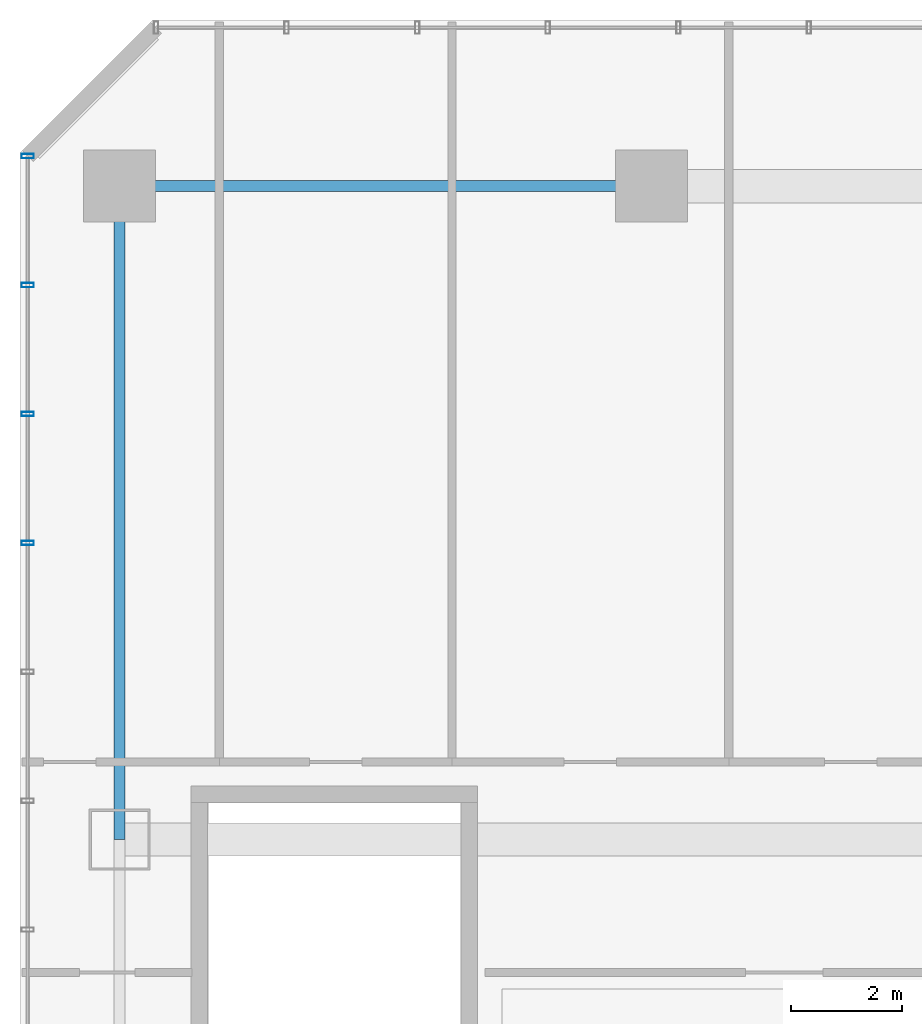
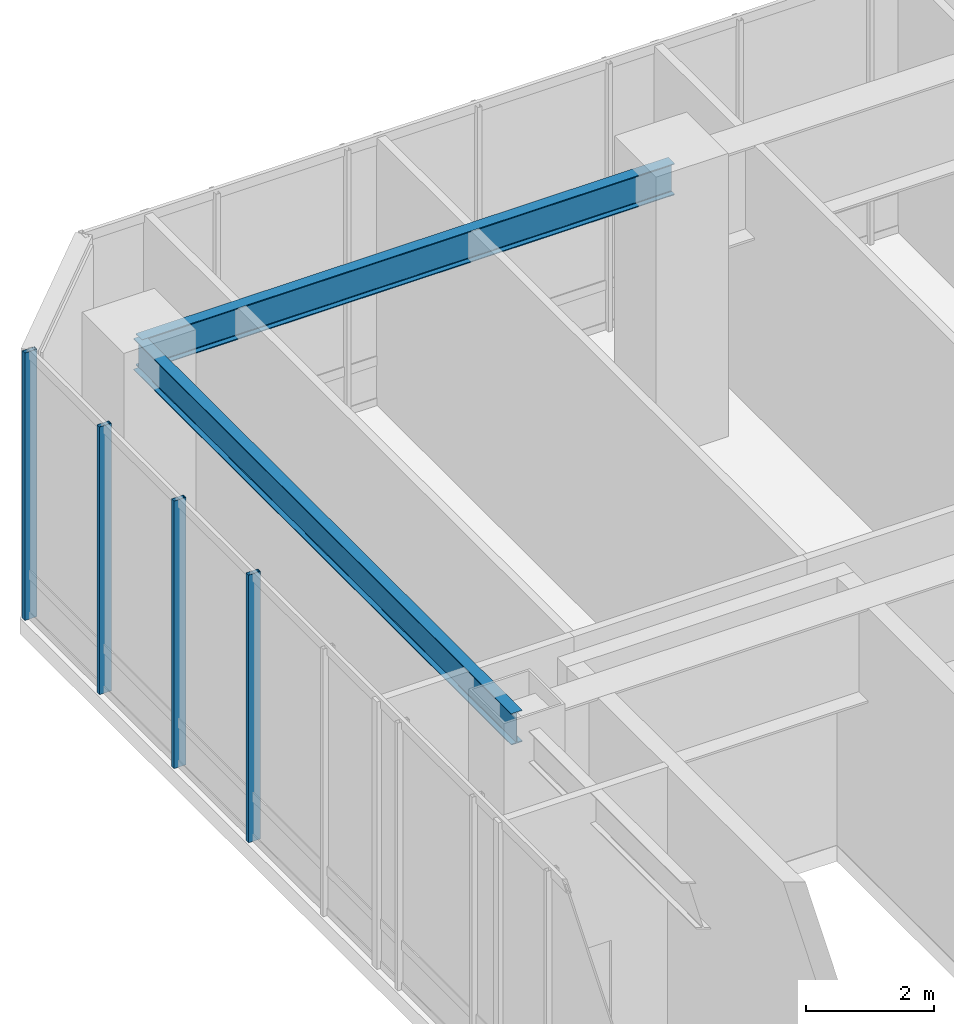
# One storey, part 20 of 38: 4 members, 2 beams, 1 element without a shape of its own.
"""IFC4 building model written with IfcOpenShell, lengths in metres."""

import ifcopenshell
import ifcopenshell.guid

model = None  # the IFC model being written
_history = None  # IfcOwnerHistory: only IFC2X3 demands one
_inside = {}  # id of a spatial element -> (the spatial element, [elements in it])
_under = {}  # id of a project, library or spatial element -> (it, [spatial elements below it])
_declared = {}  # id of a project -> (the project, [libraries it declares])
_typed = {}  # id of a type object -> (the type object, [elements of that type])
_made_of = {}  # id of a material, layer set ... -> (it, [elements and type objects made of it])


def new_model(schema):
    """Start an empty IFC model of exactly this schema.

    Asked for "IFC4X3", IfcOpenShell would pick the latest addendum, in which some entities
    have other attributes; the version numbers below select the first issue.
    IFC2X3 requires an IfcOwnerHistory on every rooted entity: one is made here for all.
    """
    global model, _history
    if schema == "IFC4X3":
        model = ifcopenshell.file(schema_version=(4, 3, 0, 0))
    else:
        model = ifcopenshell.file(schema=schema)
    _inside.clear()
    _under.clear()
    _declared.clear()
    _typed.clear()
    _made_of.clear()
    _history = None
    if model.schema == "IFC2X3":
        org = make("IfcOrganization", Name="unknown")
        user = make(
            "IfcPersonAndOrganization",
            ThePerson=make("IfcPerson", FamilyName="unknown"),
            TheOrganization=org,
        )
        app = make(
            "IfcApplication",
            ApplicationDeveloper=org,
            Version="unknown",
            ApplicationFullName="unknown",
            ApplicationIdentifier="unknown",
        )
        _history = make(
            "IfcOwnerHistory",
            OwningUser=user,
            OwningApplication=app,
            ChangeAction="ADDED",
            CreationDate=0,
        )
    return model


def make(cls, **values):
    """One entity of the class cls with the attributes given. An attribute that is None is left unset."""
    return model.create_entity(
        cls, **{name: value for name, value in values.items() if value is not None}
    )


def rooted(cls, **values):
    """An entity with a GlobalId (a new one), such as an element, a storey or a relation."""
    return make(cls, GlobalId=ifcopenshell.guid.new(), OwnerHistory=_history, **values)


def si_unit(unit_type, name, prefix=None):
    """IfcSIUnit, for example si_unit("LENGTHUNIT", "METRE", prefix="MILLI")."""
    return make("IfcSIUnit", UnitType=unit_type, Prefix=prefix, Name=name)


def assignment(units):
    """IfcUnitAssignment: the units of a project."""
    return None if units is None else make("IfcUnitAssignment", Units=units)


def point(xyz):
    """IfcCartesianPoint."""
    return None if xyz is None else make("IfcCartesianPoint", Coordinates=xyz)


def direction(xyz):
    """IfcDirection."""
    return None if xyz is None else make("IfcDirection", DirectionRatios=xyz)


def frame(location, z_axis=None, x_axis=None):
    """IfcAxis2Placement3D, a coordinate frame: its origin and axes. An axis left out is left unset."""
    return make(
        "IfcAxis2Placement3D",
        Location=point(location),
        Axis=direction(z_axis),
        RefDirection=direction(x_axis),
    )


def frame_2d(location, x_axis=None):
    """IfcAxis2Placement2D, a coordinate frame in the plane: its origin and x axis."""
    return make(
        "IfcAxis2Placement2D", Location=point(location), RefDirection=direction(x_axis)
    )


def origin():
    """The frame at (0, 0, 0) with its axes left unset."""
    return frame((0.0, 0.0, 0.0))


def origin_2d():
    """The frame at (0, 0) in the plane with its x axis left unset."""
    return frame_2d((0.0, 0.0))


def place(relative_to, where):
    """IfcLocalPlacement: puts the frame where relative to a parent placement (None: the world)."""
    return make(
        "IfcLocalPlacement", PlacementRelTo=relative_to, RelativePlacement=where
    )


def context(
    kind, dimensions, precision=None, world=None, true_north=None, identifier=None
):
    """IfcGeometricRepresentationContext, for example the 3D "Model" context."""
    return make(
        "IfcGeometricRepresentationContext",
        ContextIdentifier=identifier,
        ContextType=kind,
        CoordinateSpaceDimension=dimensions,
        Precision=precision,
        WorldCoordinateSystem=world,
        TrueNorth=true_north,
    )


def subcontext(parent, identifier, kind, view, scale=None):
    """IfcGeometricRepresentationSubContext, for example "Body" below "Model"."""
    return make(
        "IfcGeometricRepresentationSubContext",
        ContextIdentifier=identifier,
        ContextType=kind,
        ParentContext=parent,
        TargetScale=scale,
        TargetView=view,
    )


def project(units=None, contexts=None):
    """IfcProject with its units and contexts."""
    return rooted(
        "IfcProject",
        Name="project",
        RepresentationContexts=contexts,
        UnitsInContext=assignment(units),
    )


def spatial(cls, under=None, at=None, **own):
    """A site, building, storey or space (cls), placed at a placement, below another one or the project."""
    s = rooted(cls, ObjectPlacement=at, **own)
    if under is not None:
        _under.setdefault(under.id(), (under, []))[1].append(s)
    return s


def profile(cls, at=None, kind="AREA", **sizes):
    """A parametric profile (cls). Its sizes go by their IFC names, for example OverallWidth=200.0."""
    return make(cls, ProfileType=kind, Position=at, **sizes)


def hollow_rectangle(**sizes):
    """IfcRectangleHollowProfileDef."""
    return profile("IfcRectangleHollowProfileDef", **sizes)


def i_section(**sizes):
    """IfcIShapeProfileDef."""
    return profile("IfcIShapeProfileDef", **sizes)


def extrude(swept, where, along, depth):
    """IfcExtrudedAreaSolid: the profile swept, set in the frame where, extruded along a direction by depth."""
    return make(
        "IfcExtrudedAreaSolid",
        SweptArea=swept,
        Position=where,
        ExtrudedDirection=direction(along),
        Depth=depth,
    )


def shape(context_of_items, identifier, shape_type, items):
    """IfcShapeRepresentation: the items that make up one representation, for example the "Body"."""
    return make(
        "IfcShapeRepresentation",
        ContextOfItems=context_of_items,
        RepresentationIdentifier=identifier,
        RepresentationType=shape_type,
        Items=items,
    )


def material(Name=None, Category=None):
    """IfcMaterial."""
    return make("IfcMaterial", Name=Name, Category=Category)


def layer(
    of_material, thickness, ventilated=None, Name=None, Category=None, Priority=None
):
    """IfcMaterialLayer: one layer of a wall or slab, of a material (None: an air gap)."""
    return make(
        "IfcMaterialLayer",
        Material=of_material,
        LayerThickness=thickness,
        IsVentilated=ventilated,
        Name=Name,
        Category=Category,
        Priority=Priority,
    )


def layer_set(layers, Name=None):
    """IfcMaterialLayerSet."""
    return make("IfcMaterialLayerSet", MaterialLayers=layers, LayerSetName=Name)


def material_profile(
    of_material, cross_section, Name=None, Category=None, Priority=None
):
    """IfcMaterialProfile: a cross section and its material."""
    return make(
        "IfcMaterialProfile",
        Name=Name,
        Material=of_material,
        Profile=cross_section,
        Priority=Priority,
        Category=Category,
    )


def profile_set(profiles, Name=None, composite=None):
    """IfcMaterialProfileSet."""
    return make(
        "IfcMaterialProfileSet",
        Name=Name,
        MaterialProfiles=profiles,
        CompositeProfile=composite,
    )


def made_of(thing, what):
    """Note that an element or type object is made of a material, layer set ...; save() writes the relation."""
    if what is not None:
        _made_of.setdefault(what.id(), (what, []))[1].append(thing)
    return thing


def type_object(cls, material=None, **own):
    """A type object (cls), such as IfcWallType, which elements share."""
    return made_of(rooted(cls, **own), material)


def element(
    cls,
    number,
    at=None,
    inside=None,
    cuts=None,
    type_object=None,
    material=None,
    context=None,
    identifier="Body",
    shape_type=None,
    held_by="IfcProductDefinitionShape",
    body=None,
    shapes=None,
    **own,
):
    """One element of the class cls, such as IfcWall. Its Tag is "e" and its number.

    at: its placement. inside: the storey or other place that contains it. cuts: it is an
    opening in that element (IfcRelVoidsElement). A single representation is given by context,
    identifier, shape_type and body (its items); several are given by shapes. held_by: the class
    of the entity that holds the representations. save() writes the other relations.
    """
    e = rooted(cls, Tag="e%d" % number, ObjectPlacement=at, **own)
    if body is not None:
        shapes = [shape(context, identifier, shape_type, body)]
    if shapes is not None:
        e.Representation = make(held_by, Representations=shapes)
    if inside is not None:
        _inside.setdefault(inside.id(), (inside, []))[1].append(e)
    if cuts is not None:
        rooted(
            "IfcRelVoidsElement", RelatingBuildingElement=cuts, RelatedOpeningElement=e
        )
    if type_object is not None:
        _typed.setdefault(type_object.id(), (type_object, []))[1].append(e)
    return made_of(e, material)


def aggregate(whole, parts):
    """IfcRelAggregates: a whole, such as a stair, and the parts it consists of."""
    return rooted("IfcRelAggregates", RelatingObject=whole, RelatedObjects=parts)


def save(model, path):
    """Write the relations noted so far, then the file.

    IfcRelAggregates (storeys below a building ...), IfcRelContainedInSpatialStructure (elements
    in a storey), IfcRelDefinesByType, IfcRelAssociatesMaterial and IfcRelDeclares: one each for
    every whole, place, type object, material and project.
    """
    for whole, parts in _under.values():
        aggregate(whole, parts)
    for where, things in _inside.values():
        rooted(
            "IfcRelContainedInSpatialStructure",
            RelatedElements=things,
            RelatingStructure=where,
        )
    for kind, things in _typed.values():
        rooted("IfcRelDefinesByType", RelatedObjects=things, RelatingType=kind)
    for what, things in _made_of.values():
        rooted("IfcRelAssociatesMaterial", RelatedObjects=things, RelatingMaterial=what)
    for by, libraries in _declared.values():
        rooted("IfcRelDeclares", RelatingContext=by, RelatedDefinitions=libraries)
    model.write(path)


model = new_model("IFC4")

# Units and contexts
model_context = context("Model", 3, precision=1e-05, world=origin(), true_north=direction((0.0, 1.0)))
body_context = subcontext(model_context, "Body", "Model", "MODEL_VIEW")
ifc_project = project(units=[si_unit("LENGTHUNIT", "METRE"), si_unit("AREAUNIT", "SQUARE_METRE"), si_unit("VOLUMEUNIT", "CUBIC_METRE"), si_unit("PLANEANGLEUNIT", "RADIAN"), si_unit("MASSUNIT", "GRAM", prefix="KILO")], contexts=[model_context])

# Site, building, storey
site_placement = place(None, origin())
site = spatial("IfcSite", under=ifc_project, at=site_placement, CompositionType="ELEMENT")
building_placement = place(site_placement, origin())
building = spatial("IfcBuilding", under=site, at=building_placement, Name="Hatsunagi Terrace Concourse", CompositionType="ELEMENT")
storey_placement = place(building_placement, frame((0.0, 0.0, 21.60009765625)))
storey = spatial("IfcBuildingStorey", under=building, at=storey_placement, Name="L05", CompositionType="ELEMENT", Elevation=21.60009765625)

# Curtain wall, members
ifc_material_1 = material(Name="Anodised Aluminium Alloy 6063-T5", Category="aluminium")
ifc_layer = layer(ifc_material_1, 0.199951171875)
ifc_layer_set = layer_set([ifc_layer], Name="PodiumStorefront_CW01")
curtain_wall_type = type_object("IfcCurtainWallType", Name="PodiumStorefront_CW01", PredefinedType="NOTDEFINED", material=ifc_layer_set)
curtain_wall_placement = place(storey_placement, origin())
curtain_wall = element("IfcCurtainWall", 1, at=curtain_wall_placement, inside=storey, type_object=curtain_wall_type, Name="Unitised Curtain Wall CW-01 CW-L05-09", PredefinedType="NOTDEFINED")
ifc_material_2 = material(Name="Anodised Aluminium Alloy 6063-T5", Category="aluminium")
ifc_material_profile_1 = material_profile(ifc_material_2, hollow_rectangle(XDim=0.080078125, YDim=0.219970703125, WallThickness=0.0048828125, at=origin_2d()), Name="ALU-MUL-220x80x5")
ifc_profile_set_1 = profile_set([ifc_material_profile_1], Name="Anodised Aluminium Alloy 6063-T5")
member_type = type_object("IfcMemberType", Name="CurtainWallMullion_Heavy_220x80", PredefinedType="MULLION", material=ifc_profile_set_1)
member_1_placement = place(storey_placement, frame((0.139892578125, 42.156982421875, 0.0), z_axis=(0.0, 0.0, 1.0), x_axis=(0.0, 1.0, 0.0)))
member_1 = element("IfcMember", 2, at=member_1_placement, type_object=member_type, Name="Curtain Wall Mullion MUL-01", PredefinedType="MULLION", context=body_context, shape_type="SweptSolid", body=[
    extrude(hollow_rectangle(XDim=0.080078125, YDim=0.219970703125, WallThickness=0.0048828125, at=origin_2d()), origin(), (0.0, 0.0, 1.0), 5.099853515625),
])
member_2_placement = place(storey_placement, frame((0.139892578125, 44.485107421875, 0.0), z_axis=(0.0, 0.0, 1.0), x_axis=(0.0, 1.0, 0.0)))
member_2 = element("IfcMember", 3, at=member_2_placement, type_object=member_type, Name="Curtain Wall Mullion MUL-01", PredefinedType="MULLION", context=body_context, shape_type="SweptSolid", body=[
    extrude(hollow_rectangle(XDim=0.080078125, YDim=0.219970703125, WallThickness=0.0048828125, at=origin_2d()), origin(), (0.0, 0.0, 1.0), 5.099853515625),
])
member_3_placement = place(storey_placement, frame((0.139892578125, 46.81396484375, 0.0), z_axis=(0.0, 0.0, 1.0), x_axis=(0.0, 1.0, 0.0)))
member_3 = element("IfcMember", 4, at=member_3_placement, type_object=member_type, Name="Curtain Wall Mullion MUL-01", PredefinedType="MULLION", context=body_context, shape_type="SweptSolid", body=[
    extrude(hollow_rectangle(XDim=0.080078125, YDim=0.219970703125, WallThickness=0.0048828125, at=origin_2d()), origin(), (0.0, 0.0, 1.0), 5.099853515625),
])
member_4_placement = place(storey_placement, frame((0.139892578125, 49.14208984375, 0.0), z_axis=(0.0, 0.0, 1.0), x_axis=(0.0, 1.0, 0.0)))
member_4 = element("IfcMember", 5, at=member_4_placement, type_object=member_type, Name="Curtain Wall Mullion MUL-01", PredefinedType="MULLION", context=body_context, shape_type="SweptSolid", body=[
    extrude(hollow_rectangle(XDim=0.080078125, YDim=0.219970703125, WallThickness=0.0048828125, at=origin_2d()), origin(), (0.0, 0.0, 1.0), 5.099853515625),
])
aggregate(curtain_wall, [member_1, member_2, member_3, member_4])

# Beams
ifc_material_3 = material(Name="Steel SN490B", Category="steel")
ifc_material_profile_2 = material_profile(ifc_material_3, i_section(OverallWidth=0.199951171875, OverallDepth=0.60009765625, WebThickness=0.010986328125, FlangeThickness=0.01708984375, FilletRadius=0.01806640625, at=origin_2d()), Name="H-600x200x11x17")
ifc_profile_set_2 = profile_set([ifc_material_profile_2], Name="Steel SN490B")
beam_type = type_object("IfcBeamType", Name="PerimeterSpandrel_H_600x200", PredefinedType="SPANDREL", material=ifc_profile_set_2)
beam_1_placement = place(storey_placement, frame((1.800048828125, 48.60009765625, 4.7998046875), z_axis=(1.0, 0.0, 0.0), x_axis=(0.0, 1.0, 0.0)))
element("IfcBeam", 6, at=beam_1_placement, inside=storey, type_object=beam_type, Name="Beam SP-01 BM-L05-WN-1", PredefinedType="SPANDREL", context=body_context, shape_type="SweptSolid", body=[
    extrude(i_section(OverallWidth=0.199951171875, OverallDepth=0.60009765625, WebThickness=0.010986328125, FlangeThickness=0.01708984375, FilletRadius=0.01806640625, at=origin_2d()), origin(), (0.0, 0.0, 1.0), 9.599853515625),
])
beam_2_placement = place(storey_placement, frame((1.800048828125, 36.800048828125, 4.7998046875), z_axis=(0.0, 1.0, 0.0), x_axis=(-1.0, 0.0, 0.0)))
element("IfcBeam", 7, at=beam_2_placement, inside=storey, type_object=beam_type, Name="Beam SP-01 BM-L05-NS-1-36", PredefinedType="SPANDREL", context=body_context, shape_type="SweptSolid", body=[
    extrude(i_section(OverallWidth=0.199951171875, OverallDepth=0.60009765625, WebThickness=0.010986328125, FlangeThickness=0.01708984375, FilletRadius=0.01806640625, at=origin_2d()), origin(), (0.0, 0.0, 1.0), 11.800048828125),
])

save(model, "model.ifc")
